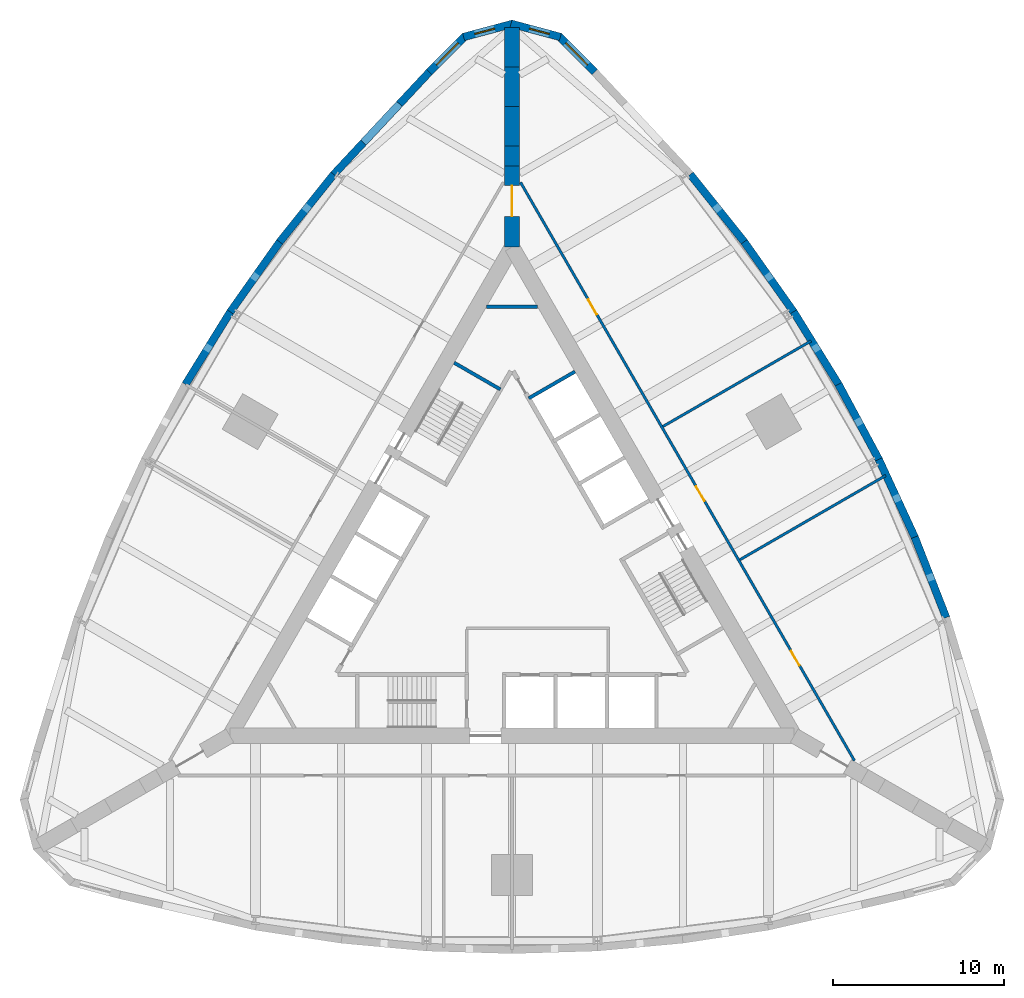
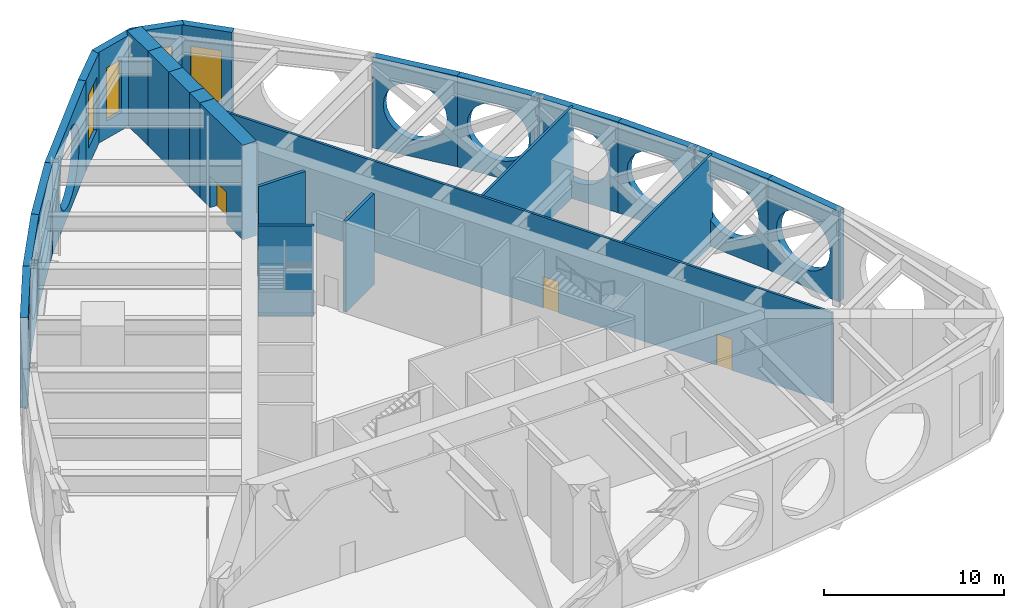
# One storey, part 5 of 7: 25 walls, 4 doors, 4 windows, 8 openings.
"""IFC4 building model written with IfcOpenShell, lengths in metres."""

import ifcopenshell
import ifcopenshell.guid

model = None  # the IFC model being written
_history = None  # IfcOwnerHistory: only IFC2X3 demands one
_inside = {}  # id of a spatial element -> (the spatial element, [elements in it])
_under = {}  # id of a project, library or spatial element -> (it, [spatial elements below it])
_declared = {}  # id of a project -> (the project, [libraries it declares])
_typed = {}  # id of a type object -> (the type object, [elements of that type])
_made_of = {}  # id of a material, layer set ... -> (it, [elements and type objects made of it])


def new_model(schema):
    """Start an empty IFC model of exactly this schema.

    Asked for "IFC4X3", IfcOpenShell would pick the latest addendum, in which some entities
    have other attributes; the version numbers below select the first issue.
    IFC2X3 requires an IfcOwnerHistory on every rooted entity: one is made here for all.
    """
    global model, _history
    if schema == "IFC4X3":
        model = ifcopenshell.file(schema_version=(4, 3, 0, 0))
    else:
        model = ifcopenshell.file(schema=schema)
    _inside.clear()
    _under.clear()
    _declared.clear()
    _typed.clear()
    _made_of.clear()
    _history = None
    if model.schema == "IFC2X3":
        org = make("IfcOrganization", Name="unknown")
        user = make(
            "IfcPersonAndOrganization",
            ThePerson=make("IfcPerson", FamilyName="unknown"),
            TheOrganization=org,
        )
        app = make(
            "IfcApplication",
            ApplicationDeveloper=org,
            Version="unknown",
            ApplicationFullName="unknown",
            ApplicationIdentifier="unknown",
        )
        _history = make(
            "IfcOwnerHistory",
            OwningUser=user,
            OwningApplication=app,
            ChangeAction="ADDED",
            CreationDate=0,
        )
    return model


def make(cls, **values):
    """One entity of the class cls with the attributes given. An attribute that is None is left unset."""
    return model.create_entity(
        cls, **{name: value for name, value in values.items() if value is not None}
    )


def rooted(cls, **values):
    """An entity with a GlobalId (a new one), such as an element, a storey or a relation."""
    return make(cls, GlobalId=ifcopenshell.guid.new(), OwnerHistory=_history, **values)


def si_unit(unit_type, name, prefix=None):
    """IfcSIUnit, for example si_unit("LENGTHUNIT", "METRE", prefix="MILLI")."""
    return make("IfcSIUnit", UnitType=unit_type, Prefix=prefix, Name=name)


def assignment(units):
    """IfcUnitAssignment: the units of a project."""
    return None if units is None else make("IfcUnitAssignment", Units=units)


def point(xyz):
    """IfcCartesianPoint."""
    return None if xyz is None else make("IfcCartesianPoint", Coordinates=xyz)


def direction(xyz):
    """IfcDirection."""
    return None if xyz is None else make("IfcDirection", DirectionRatios=xyz)


def frame(location, z_axis=None, x_axis=None):
    """IfcAxis2Placement3D, a coordinate frame: its origin and axes. An axis left out is left unset."""
    return make(
        "IfcAxis2Placement3D",
        Location=point(location),
        Axis=direction(z_axis),
        RefDirection=direction(x_axis),
    )


def frame_2d(location, x_axis=None):
    """IfcAxis2Placement2D, a coordinate frame in the plane: its origin and x axis."""
    return make(
        "IfcAxis2Placement2D", Location=point(location), RefDirection=direction(x_axis)
    )


def origin():
    """The frame at (0, 0, 0) with its axes left unset."""
    return frame((0.0, 0.0, 0.0))


def place(relative_to, where):
    """IfcLocalPlacement: puts the frame where relative to a parent placement (None: the world)."""
    return make(
        "IfcLocalPlacement", PlacementRelTo=relative_to, RelativePlacement=where
    )


def context(
    kind, dimensions, precision=None, world=None, true_north=None, identifier=None
):
    """IfcGeometricRepresentationContext, for example the 3D "Model" context."""
    return make(
        "IfcGeometricRepresentationContext",
        ContextIdentifier=identifier,
        ContextType=kind,
        CoordinateSpaceDimension=dimensions,
        Precision=precision,
        WorldCoordinateSystem=world,
        TrueNorth=true_north,
    )


def subcontext(parent, identifier, kind, view, scale=None):
    """IfcGeometricRepresentationSubContext, for example "Body" below "Model"."""
    return make(
        "IfcGeometricRepresentationSubContext",
        ContextIdentifier=identifier,
        ContextType=kind,
        ParentContext=parent,
        TargetScale=scale,
        TargetView=view,
    )


def project(units=None, contexts=None):
    """IfcProject with its units and contexts."""
    return rooted(
        "IfcProject",
        Name="project",
        RepresentationContexts=contexts,
        UnitsInContext=assignment(units),
    )


def spatial(cls, under=None, at=None, **own):
    """A site, building, storey or space (cls), placed at a placement, below another one or the project."""
    s = rooted(cls, ObjectPlacement=at, **own)
    if under is not None:
        _under.setdefault(under.id(), (under, []))[1].append(s)
    return s


def polyline(points):
    """IfcPolyline through the points."""
    return make("IfcPolyline", Points=[point(p) for p in points])


def profile(cls, at=None, kind="AREA", **sizes):
    """A parametric profile (cls). Its sizes go by their IFC names, for example OverallWidth=200.0."""
    return make(cls, ProfileType=kind, Position=at, **sizes)


def rectangle(**sizes):
    """IfcRectangleProfileDef."""
    return profile("IfcRectangleProfileDef", **sizes)


def outline(outer, holes=None, kind="AREA"):
    """IfcArbitraryClosedProfileDef: a profile drawn as a closed curve; with holes, ...WithVoids."""
    if holes is None:
        return make("IfcArbitraryClosedProfileDef", ProfileType=kind, OuterCurve=outer)
    return make(
        "IfcArbitraryProfileDefWithVoids",
        ProfileType=kind,
        OuterCurve=outer,
        InnerCurves=holes,
    )


def extrude(swept, where, along, depth):
    """IfcExtrudedAreaSolid: the profile swept, set in the frame where, extruded along a direction by depth."""
    return make(
        "IfcExtrudedAreaSolid",
        SweptArea=swept,
        Position=where,
        ExtrudedDirection=direction(along),
        Depth=depth,
    )


def shape(context_of_items, identifier, shape_type, items):
    """IfcShapeRepresentation: the items that make up one representation, for example the "Body"."""
    return make(
        "IfcShapeRepresentation",
        ContextOfItems=context_of_items,
        RepresentationIdentifier=identifier,
        RepresentationType=shape_type,
        Items=items,
    )


def material(Name=None, Category=None):
    """IfcMaterial."""
    return make("IfcMaterial", Name=Name, Category=Category)


def layer(
    of_material, thickness, ventilated=None, Name=None, Category=None, Priority=None
):
    """IfcMaterialLayer: one layer of a wall or slab, of a material (None: an air gap)."""
    return make(
        "IfcMaterialLayer",
        Material=of_material,
        LayerThickness=thickness,
        IsVentilated=ventilated,
        Name=Name,
        Category=Category,
        Priority=Priority,
    )


def layer_set(layers, Name=None):
    """IfcMaterialLayerSet."""
    return make("IfcMaterialLayerSet", MaterialLayers=layers, LayerSetName=Name)


def made_of(thing, what):
    """Note that an element or type object is made of a material, layer set ...; save() writes the relation."""
    if what is not None:
        _made_of.setdefault(what.id(), (what, []))[1].append(thing)
    return thing


def type_object(cls, material=None, **own):
    """A type object (cls), such as IfcWallType, which elements share."""
    return made_of(rooted(cls, **own), material)


def element(
    cls,
    number,
    at=None,
    inside=None,
    cuts=None,
    type_object=None,
    material=None,
    context=None,
    identifier="Body",
    shape_type=None,
    held_by="IfcProductDefinitionShape",
    body=None,
    shapes=None,
    **own,
):
    """One element of the class cls, such as IfcWall. Its Tag is "e" and its number.

    at: its placement. inside: the storey or other place that contains it. cuts: it is an
    opening in that element (IfcRelVoidsElement). A single representation is given by context,
    identifier, shape_type and body (its items); several are given by shapes. held_by: the class
    of the entity that holds the representations. save() writes the other relations.
    """
    e = rooted(cls, Tag="e%d" % number, ObjectPlacement=at, **own)
    if body is not None:
        shapes = [shape(context, identifier, shape_type, body)]
    if shapes is not None:
        e.Representation = make(held_by, Representations=shapes)
    if inside is not None:
        _inside.setdefault(inside.id(), (inside, []))[1].append(e)
    if cuts is not None:
        rooted(
            "IfcRelVoidsElement", RelatingBuildingElement=cuts, RelatedOpeningElement=e
        )
    if type_object is not None:
        _typed.setdefault(type_object.id(), (type_object, []))[1].append(e)
    return made_of(e, material)


def fill(opening, filler):
    """IfcRelFillsElement: the door or window that sits in an opening."""
    return rooted(
        "IfcRelFillsElement",
        RelatingOpeningElement=opening,
        RelatedBuildingElement=filler,
    )


def aggregate(whole, parts):
    """IfcRelAggregates: a whole, such as a stair, and the parts it consists of."""
    return rooted("IfcRelAggregates", RelatingObject=whole, RelatedObjects=parts)


def save(model, path):
    """Write the relations noted so far, then the file.

    IfcRelAggregates (storeys below a building ...), IfcRelContainedInSpatialStructure (elements
    in a storey), IfcRelDefinesByType, IfcRelAssociatesMaterial and IfcRelDeclares: one each for
    every whole, place, type object, material and project.
    """
    for whole, parts in _under.values():
        aggregate(whole, parts)
    for where, things in _inside.values():
        rooted(
            "IfcRelContainedInSpatialStructure",
            RelatedElements=things,
            RelatingStructure=where,
        )
    for kind, things in _typed.values():
        rooted("IfcRelDefinesByType", RelatedObjects=things, RelatingType=kind)
    for what, things in _made_of.values():
        rooted("IfcRelAssociatesMaterial", RelatedObjects=things, RelatingMaterial=what)
    for by, libraries in _declared.values():
        rooted("IfcRelDeclares", RelatingContext=by, RelatedDefinitions=libraries)
    model.write(path)


model = new_model("IFC4")

# Units and contexts
model_context = context("Model", 3, precision=1e-05, world=origin(), true_north=direction((0.0, 1.0)))
body_context = subcontext(model_context, "Body", "Model", "MODEL_VIEW")
ifc_project = project(units=[si_unit("LENGTHUNIT", "METRE"), si_unit("AREAUNIT", "SQUARE_METRE"), si_unit("VOLUMEUNIT", "CUBIC_METRE"), si_unit("PLANEANGLEUNIT", "RADIAN"), si_unit("MASSUNIT", "GRAM", prefix="KILO")], contexts=[model_context])

# Site, building, storey
site_placement = place(None, origin())
site = spatial("IfcSite", under=ifc_project, at=site_placement, CompositionType="ELEMENT")
building_placement = place(site_placement, origin())
building = spatial("IfcBuilding", under=site, at=building_placement, Name="Trikona Tower", CompositionType="ELEMENT")
storey_placement = place(building_placement, frame((0.0, 0.0, 103.300048828125)))
storey = spatial("IfcBuildingStorey", under=building, at=storey_placement, Name="L27", CompositionType="ELEMENT", Elevation=103.300048828125)

# Wall, opening, window
ifc_material_1 = material(Name="Brick-faced precast concrete", Category="masonry")
ifc_layer_1 = layer(ifc_material_1, 0.449951171875)
ifc_layer_set_1 = layer_set([ifc_layer_1], Name="Brick-faced corner wall 450")
wall_type_1 = type_object("IfcWallType", Name="Brick-faced corner wall 450", PredefinedType="SOLIDWALL", material=ifc_layer_set_1)
wall_1_placement = place(storey_placement, frame((4.8408203125, 29.285888671875, 0.0), z_axis=(0.0, 0.0, 1.0), x_axis=(-0.707106781187, 0.707106781187, 0.0)))
wall_1 = element("IfcWall", 1, at=wall_1_placement, inside=storey, type_object=wall_type_1, Name="External wall L27-20", PredefinedType="SOLIDWALL", context=body_context, shape_type="SweptSolid", body=[
    extrude(rectangle(XDim=2.98828125, YDim=0.449951171875, at=frame_2d((1.494140625, 0.0))), origin(), (0.0, 0.0, 1.0), 6.14990234375),
])
opening_1_placement = place(wall_1_placement, frame((0.59423828125, 0.0, 1.199951171875)))
opening_1 = element("IfcOpeningElement", 2, at=opening_1_placement, cuts=wall_1, Name="Opening W1836", PredefinedType="OPENING", context=body_context, shape_type="SweptSolid", body=[
    extrude(rectangle(XDim=1.800048828125, YDim=3.60009765625, at=frame_2d((0.89990234375, 1.800048828125))), frame((0.0, 0.23486328125, 0.0), z_axis=(0.0, -1.0, 0.0), x_axis=(1.0, 0.0, 0.0)), (0.0, 0.0, 1.0), 0.469970703125),
])
ifc_material_2 = material(Name="Aluminium-framed double glazing", Category="aluminium")
window_type_1 = type_object("IfcWindowType", Name="Window 1800x3600", PartitioningType="SINGLE_PANEL", PredefinedType="WINDOW", material=ifc_material_2)
window_1_placement = place(opening_1_placement, origin())
window_1 = element("IfcWindow", 3, at=window_1_placement, inside=storey, type_object=window_type_1, Name="Window L27-ELE", OverallHeight=3.60009765625, OverallWidth=1.800048828125, PartitioningType="SINGLE_PANEL", PredefinedType="WINDOW", context=body_context, shape_type="SweptSolid", body=[
    extrude(rectangle(XDim=1.800048828125, YDim=3.60009765625, at=frame_2d((0.89990234375, 1.800048828125))), frame((0.0, 0.030029296875, 0.0), z_axis=(0.0, -1.0, 0.0), x_axis=(1.0, 0.0, 0.0)), (0.0, 0.0, 1.0), 0.06005859375),
])
fill(opening_1, window_1)

wall_2_placement = place(storey_placement, frame((2.82861328125, 31.3408203125, 0.0), z_axis=(0.0, 0.0, 1.0), x_axis=(-0.965930548995, 0.258801419081, 0.0)))
wall_2 = element("IfcWall", 4, at=wall_2_placement, inside=storey, type_object=wall_type_1, Name="External wall L27-21", PredefinedType="SOLIDWALL", context=body_context, shape_type="SweptSolid", body=[
    extrude(outline(polyline([(2.988525390625, 0.22509765625), (2.92919921875, 0.22509765625), (2.4375, 0.09326171875), (2.40234375, 0.22509765625), (0.0, 0.22509765625), (0.0, -0.22509765625), (2.988525390625, -0.22509765625), (2.988525390625, 0.22509765625)])), origin(), (0.0, 0.0, 1.0), 6.14990234375),
])
opening_2_placement = place(wall_2_placement, frame((0.676025390625, 0.0, 1.199951171875)))
opening_2 = element("IfcOpeningElement", 5, at=opening_2_placement, cuts=wall_2, Name="Opening W1236", PredefinedType="OPENING", context=body_context, shape_type="SweptSolid", body=[
    extrude(rectangle(XDim=1.199951171875, YDim=3.60009765625, at=frame_2d((0.60009765625, 1.800048828125))), frame((0.0, 0.23486328125, 0.0), z_axis=(0.0, -1.0, 0.0), x_axis=(1.0, 0.0, 0.0)), (0.0, 0.0, 1.0), 0.469970703125),
])
ifc_material_3 = material(Name="Aluminium-framed double glazing", Category="aluminium")
window_type_2 = type_object("IfcWindowType", Name="Window 1200x3600", PartitioningType="SINGLE_PANEL", PredefinedType="WINDOW", material=ifc_material_3)
window_2_placement = place(opening_2_placement, origin())
window_2 = element("IfcWindow", 6, at=window_2_placement, inside=storey, type_object=window_type_2, Name="Window L27-ELE", OverallHeight=3.60009765625, OverallWidth=1.199951171875, PartitioningType="SINGLE_PANEL", PredefinedType="WINDOW", context=body_context, shape_type="SweptSolid", body=[
    extrude(rectangle(XDim=1.199951171875, YDim=3.60009765625, at=frame_2d((0.60009765625, 1.800048828125))), frame((0.0, 0.030029296875, 0.0), z_axis=(0.0, -1.0, 0.0), x_axis=(1.0, 0.0, 0.0)), (0.0, 0.0, 1.0), 0.06005859375),
])
fill(opening_2, window_2)

wall_3_placement = place(storey_placement, frame((0.05810546875, 32.1142578125, 0.0), z_axis=(0.0, 0.0, 1.0), x_axis=(-0.965930548995, -0.258801419081, 0.0)))
wall_3 = element("IfcWall", 7, at=wall_3_placement, inside=storey, type_object=wall_type_1, Name="External wall L27-22", PredefinedType="SOLIDWALL", context=body_context, shape_type="SweptSolid", body=[
    extrude(outline(polyline([(2.988525390625, 0.22509765625), (0.58642578125, 0.22509765625), (0.551025390625, 0.09326171875), (0.059326171875, 0.22509765625), (0.0, 0.22509765625), (0.0, -0.22509765625), (2.988525390625, -0.22509765625), (2.988525390625, 0.22509765625)])), origin(), (0.0, 0.0, 1.0), 6.14990234375),
])
opening_3_placement = place(wall_3_placement, frame((1.112548828125, 0.0, 1.199951171875)))
opening_3 = element("IfcOpeningElement", 8, at=opening_3_placement, cuts=wall_3, Name="Opening W1236", PredefinedType="OPENING", context=body_context, shape_type="SweptSolid", body=[
    extrude(rectangle(XDim=1.199951171875, YDim=3.60009765625, at=frame_2d((0.60009765625, 1.800048828125))), frame((0.0, 0.23486328125, 0.0), z_axis=(0.0, -1.0, 0.0), x_axis=(1.0, 0.0, 0.0)), (0.0, 0.0, 1.0), 0.469970703125),
])
window_3_placement = place(opening_3_placement, origin())
window_3 = element("IfcWindow", 9, at=window_3_placement, inside=storey, type_object=window_type_2, Name="Window L27-WTR", OverallHeight=3.60009765625, OverallWidth=1.199951171875, PartitioningType="SINGLE_PANEL", PredefinedType="WINDOW", context=body_context, shape_type="SweptSolid", body=[
    extrude(rectangle(XDim=1.199951171875, YDim=3.60009765625, at=frame_2d((0.60009765625, 1.800048828125))), frame((0.0, 0.030029296875, 0.0), z_axis=(0.0, -1.0, 0.0), x_axis=(1.0, 0.0, 0.0)), (0.0, 0.0, 1.0), 0.06005859375),
])
fill(opening_3, window_3)

wall_4_placement = place(storey_placement, frame((-2.727783203125, 31.39892578125, 0.0), z_axis=(0.0, 0.0, 1.0), x_axis=(-0.707106781187, -0.707106781187, 0.0)))
wall_4 = element("IfcWall", 10, at=wall_4_placement, inside=storey, type_object=wall_type_1, Name="External wall L27-23", PredefinedType="SOLIDWALL", context=body_context, shape_type="SweptSolid", body=[
    extrude(rectangle(XDim=2.98828125, YDim=0.449951171875, at=frame_2d((1.494140625, 0.0))), origin(), (0.0, 0.0, 1.0), 6.14990234375),
])
opening_4_placement = place(wall_4_placement, frame((0.59423828125, 0.0, 1.199951171875)))
opening_4 = element("IfcOpeningElement", 11, at=opening_4_placement, cuts=wall_4, Name="Opening W1836", PredefinedType="OPENING", context=body_context, shape_type="SweptSolid", body=[
    extrude(rectangle(XDim=1.800048828125, YDim=3.60009765625, at=frame_2d((0.89990234375, 1.800048828125))), frame((0.0, 0.23486328125, 0.0), z_axis=(0.0, -1.0, 0.0), x_axis=(1.0, 0.0, 0.0)), (0.0, 0.0, 1.0), 0.469970703125),
])
window_4_placement = place(opening_4_placement, origin())
window_4 = element("IfcWindow", 12, at=window_4_placement, inside=storey, type_object=window_type_1, Name="Window L27-WTR", OverallHeight=3.60009765625, OverallWidth=1.800048828125, PartitioningType="SINGLE_PANEL", PredefinedType="WINDOW", context=body_context, shape_type="SweptSolid", body=[
    extrude(rectangle(XDim=1.800048828125, YDim=3.60009765625, at=frame_2d((0.89990234375, 1.800048828125))), frame((0.0, 0.030029296875, 0.0), z_axis=(0.0, -1.0, 0.0), x_axis=(1.0, 0.0, 0.0)), (0.0, 0.0, 1.0), 0.06005859375),
])
fill(opening_4, window_4)

# Walls
ifc_material_4 = material(Name="Brick-faced precast concrete with louvred openings", Category="masonry")
ifc_layer_2 = layer(ifc_material_4, 0.449951171875)
ifc_layer_set_2 = layer_set([ifc_layer_2], Name="Brick-faced plant wall 450")
wall_type_2 = type_object("IfcWallType", Name="Brick-faced plant wall 450", PredefinedType="SOLIDWALL", material=ifc_layer_set_2)
wall_5_placement = place(storey_placement, frame((25.392822265625, -2.620849609375, 0.0), z_axis=(0.0, 0.0, 1.0), x_axis=(-0.363971587738, 0.931410051116, 0.0)))
element("IfcWall", 13, at=wall_5_placement, inside=storey, type_object=wall_type_2, Name="External wall L27-13", PredefinedType="SOLIDWALL", context=body_context, shape_type="SweptSolid", body=[
    extrude(outline(polyline([(0.0, 0.0), (5.0576171875, 0.0), (5.0576171875, 6.14990234375), (0.0, 6.14990234375), (0.0, 0.0)]), holes=[polyline([(4.4287109375, 3.074951171875), (4.364013671875, 3.566650390625), (4.17431640625, 4.02490234375), (3.872314453125, 4.41845703125), (3.478759765625, 4.720458984375), (3.0205078125, 4.91015625), (2.52880859375, 4.974853515625), (2.037109375, 4.91015625), (1.578857421875, 4.720458984375), (1.185302734375, 4.41845703125), (0.88330078125, 4.02490234375), (0.693603515625, 3.566650390625), (0.62890625, 3.074951171875), (0.693603515625, 2.583251953125), (0.88330078125, 2.125), (1.185302734375, 1.7314453125), (1.578857421875, 1.429443359375), (2.037109375, 1.23974609375), (2.52880859375, 1.175048828125), (3.0205078125, 1.23974609375), (3.478759765625, 1.429443359375), (3.872314453125, 1.7314453125), (4.17431640625, 2.125), (4.364013671875, 2.583251953125), (4.4287109375, 3.074951171875)])]), frame((0.0, 0.22509765625, 0.0), z_axis=(0.0, -1.0, 0.0), x_axis=(1.0, 0.0, 0.0)), (0.0, 0.0, 1.0), 0.449951171875),
])
wall_6_placement = place(storey_placement, frame((23.55712890625, 2.077392578125, 0.0), z_axis=(0.0, 0.0, 1.0), x_axis=(-0.419203100754, 0.907892482796, 0.0)))
element("IfcWall", 14, at=wall_6_placement, inside=storey, type_object=wall_type_2, Name="External wall L27-14", PredefinedType="SOLIDWALL", context=body_context, shape_type="SweptSolid", body=[
    extrude(outline(polyline([(0.0, 0.0), (5.020751953125, 0.0), (5.020751953125, 6.14990234375), (0.0, 6.14990234375), (0.0, 0.0)]), holes=[polyline([(4.410400390625, 3.074951171875), (4.345703125, 3.566650390625), (4.156005859375, 4.02490234375), (3.85400390625, 4.41845703125), (3.46044921875, 4.720458984375), (3.002197265625, 4.91015625), (2.510498046875, 4.974853515625), (2.018798828125, 4.91015625), (1.560302734375, 4.720458984375), (1.1669921875, 4.41845703125), (0.864990234375, 4.02490234375), (0.67529296875, 3.566650390625), (0.6103515625, 3.074951171875), (0.67529296875, 2.583251953125), (0.864990234375, 2.125), (1.1669921875, 1.7314453125), (1.560302734375, 1.429443359375), (2.018798828125, 1.23974609375), (2.510498046875, 1.175048828125), (3.002197265625, 1.23974609375), (3.46044921875, 1.429443359375), (3.85400390625, 1.7314453125), (4.156005859375, 2.125), (4.345703125, 2.583251953125), (4.410400390625, 3.074951171875)])]), frame((0.0, 0.22509765625, 0.0), z_axis=(0.0, -1.0, 0.0), x_axis=(1.0, 0.0, 0.0)), (0.0, 0.0, 1.0), 0.449951171875),
])
wall_7_placement = place(storey_placement, frame((21.45849609375, 6.62353515625, 0.0), z_axis=(0.0, 0.0, 1.0), x_axis=(-0.473412820489, 0.880840678782, 0.0)))
element("IfcWall", 15, at=wall_7_placement, inside=storey, type_object=wall_type_2, Name="External wall L27-15", PredefinedType="SOLIDWALL", context=body_context, shape_type="SweptSolid", body=[
    extrude(outline(polyline([(0.0, 0.0), (5.00244140625, 0.0), (5.00244140625, 6.14990234375), (0.0, 6.14990234375), (0.0, 0.0)]), holes=[polyline([(4.401123046875, 3.074951171875), (4.33642578125, 3.566650390625), (4.146484375, 4.02490234375), (3.8447265625, 4.41845703125), (3.451171875, 4.720458984375), (2.992919921875, 4.91015625), (2.501220703125, 4.974853515625), (2.009521484375, 4.91015625), (1.551025390625, 4.720458984375), (1.15771484375, 4.41845703125), (0.855712890625, 4.02490234375), (0.666015625, 3.566650390625), (0.60107421875, 3.074951171875), (0.666015625, 2.583251953125), (0.855712890625, 2.125), (1.15771484375, 1.7314453125), (1.551025390625, 1.429443359375), (2.009521484375, 1.23974609375), (2.501220703125, 1.175048828125), (2.992919921875, 1.23974609375), (3.451171875, 1.429443359375), (3.8447265625, 1.7314453125), (4.146484375, 2.125), (4.33642578125, 2.583251953125), (4.401123046875, 3.074951171875)])]), frame((0.0, 0.22509765625, 0.0), z_axis=(0.0, -1.0, 0.0), x_axis=(1.0, 0.0, 0.0)), (0.0, 0.0, 1.0), 0.449951171875),
])
wall_8_placement = place(storey_placement, frame((19.097412109375, 11.017822265625, 0.0), z_axis=(0.0, 0.0, 1.0), x_axis=(-0.52611097126, 0.850415925251, 0.0)))
element("IfcWall", 16, at=wall_8_placement, inside=storey, type_object=wall_type_2, Name="External wall L27-16", PredefinedType="SOLIDWALL", context=body_context, shape_type="SweptSolid", body=[
    extrude(outline(polyline([(0.0, 0.0), (5.00244140625, 0.0), (5.00244140625, 6.14990234375), (0.0, 6.14990234375), (0.0, 0.0)]), holes=[polyline([(4.401123046875, 3.074951171875), (4.33642578125, 3.566650390625), (4.146484375, 4.02490234375), (3.844482421875, 4.41845703125), (3.451171875, 4.720458984375), (2.992919921875, 4.91015625), (2.501220703125, 4.974853515625), (2.009521484375, 4.91015625), (1.551025390625, 4.720458984375), (1.15771484375, 4.41845703125), (0.855712890625, 4.02490234375), (0.666015625, 3.566650390625), (0.60107421875, 3.074951171875), (0.666015625, 2.583251953125), (0.855712890625, 2.125), (1.15771484375, 1.7314453125), (1.551025390625, 1.429443359375), (2.009521484375, 1.23974609375), (2.501220703125, 1.175048828125), (2.992919921875, 1.23974609375), (3.451171875, 1.429443359375), (3.844482421875, 1.7314453125), (4.146484375, 2.125), (4.33642578125, 2.583251953125), (4.401123046875, 3.074951171875)])]), frame((0.0, 0.22509765625, 0.0), z_axis=(0.0, -1.0, 0.0), x_axis=(1.0, 0.0, 0.0)), (0.0, 0.0, 1.0), 0.449951171875),
])
wall_9_placement = place(storey_placement, frame((16.472900390625, 15.260498046875, 0.0), z_axis=(0.0, 0.0, 1.0), x_axis=(-0.5766431066, 0.81699616132, 0.0)))
element("IfcWall", 17, at=wall_9_placement, inside=storey, type_object=wall_type_2, Name="External wall L27-17", PredefinedType="SOLIDWALL", context=body_context, shape_type="SweptSolid", body=[
    extrude(outline(polyline([(0.0, 0.0), (5.02099609375, 0.0), (5.02099609375, 6.14990234375), (0.0, 6.14990234375), (0.0, 0.0)]), holes=[polyline([(4.410400390625, 3.074951171875), (4.345703125, 3.566650390625), (4.15576171875, 4.02490234375), (3.85400390625, 4.41845703125), (3.46044921875, 4.720458984375), (3.002197265625, 4.91015625), (2.510498046875, 4.974853515625), (2.0185546875, 4.91015625), (1.560302734375, 4.720458984375), (1.1669921875, 4.41845703125), (0.864990234375, 4.02490234375), (0.675048828125, 3.566650390625), (0.6103515625, 3.074951171875), (0.675048828125, 2.583251953125), (0.864990234375, 2.125), (1.1669921875, 1.7314453125), (1.560302734375, 1.429443359375), (2.0185546875, 1.23974609375), (2.510498046875, 1.175048828125), (3.002197265625, 1.23974609375), (3.46044921875, 1.429443359375), (3.85400390625, 1.7314453125), (4.15576171875, 2.125), (4.345703125, 2.583251953125), (4.410400390625, 3.074951171875)])]), frame((0.0, 0.22509765625, 0.0), z_axis=(0.0, -1.0, 0.0), x_axis=(1.0, 0.0, 0.0)), (0.0, 0.0, 1.0), 0.449951171875),
])
wall_10_placement = place(storey_placement, frame((13.585693359375, 19.351806640625, 0.0), z_axis=(0.0, 0.0, 1.0), x_axis=(-0.624594965756, 0.780948864364, 0.0)))
element("IfcWall", 18, at=wall_10_placement, inside=storey, type_object=wall_type_2, Name="External wall L27-18", PredefinedType="SOLIDWALL", context=body_context, shape_type="SweptSolid", body=[
    extrude(outline(polyline([(0.0, 0.0), (5.0576171875, 0.0), (5.0576171875, 6.14990234375), (0.0, 6.14990234375), (0.0, 0.0)]), holes=[polyline([(4.4287109375, 3.074951171875), (4.364013671875, 3.566650390625), (4.17431640625, 4.02490234375), (3.872314453125, 4.41845703125), (3.478759765625, 4.720458984375), (3.0205078125, 4.91015625), (2.52880859375, 4.974853515625), (2.037109375, 4.91015625), (1.578857421875, 4.720458984375), (1.185302734375, 4.41845703125), (0.88330078125, 4.02490234375), (0.693603515625, 3.566650390625), (0.62890625, 3.074951171875), (0.693603515625, 2.583251953125), (0.88330078125, 2.125), (1.185302734375, 1.7314453125), (1.578857421875, 1.429443359375), (2.037109375, 1.23974609375), (2.52880859375, 1.175048828125), (3.0205078125, 1.23974609375), (3.478759765625, 1.429443359375), (3.872314453125, 1.7314453125), (4.17431640625, 2.125), (4.364013671875, 2.583251953125), (4.4287109375, 3.074951171875)])]), frame((0.0, 0.22509765625, 0.0), z_axis=(0.0, -1.0, 0.0), x_axis=(1.0, 0.0, 0.0)), (0.0, 0.0, 1.0), 0.449951171875),
])
wall_11_placement = place(storey_placement, frame((-4.83544921875, 29.29150390625, 0.0), z_axis=(0.0, 0.0, 1.0), x_axis=(-0.682290707137, -0.73108097428, 0.0)))
element("IfcWall", 19, at=wall_11_placement, inside=storey, type_object=wall_type_2, Name="External wall L27-24", PredefinedType="SOLIDWALL", context=body_context, shape_type="SweptSolid", body=[
    extrude(outline(polyline([(0.0, 0.0), (8.21142578125, 0.0), (8.21142578125, 6.14990234375), (0.0, 6.14990234375), (0.0, 0.0)]), holes=[polyline([(6.5556640625, 3.074951171875), (6.47216796875, 3.708984375), (6.227294921875, 4.300048828125), (5.837890625, 4.807373046875), (5.33056640625, 5.19677734375), (4.73974609375, 5.44140625), (4.105712890625, 5.52490234375), (3.471435546875, 5.44140625), (2.880615234375, 5.19677734375), (2.373291015625, 4.807373046875), (1.98388671875, 4.300048828125), (1.739013671875, 3.708984375), (1.655517578125, 3.074951171875), (1.739013671875, 2.44091796875), (1.98388671875, 1.849853515625), (2.373291015625, 1.342529296875), (2.880615234375, 0.953125), (3.471435546875, 0.70849609375), (4.105712890625, 0.625), (4.73974609375, 0.70849609375), (5.33056640625, 0.953125), (5.837890625, 1.342529296875), (6.227294921875, 1.849853515625), (6.47216796875, 2.44091796875), (6.5556640625, 3.074951171875)])]), frame((0.0, 0.22509765625, 0.0), z_axis=(0.0, -1.0, 0.0), x_axis=(1.0, 0.0, 0.0)), (0.0, 0.0, 1.0), 0.449951171875),
])
wall_12_placement = place(storey_placement, frame((-10.4267578125, 23.301513671875, 0.0), z_axis=(0.0, 0.0, 1.0), x_axis=(-0.624594965756, -0.780948864364, 0.0)))
element("IfcWall", 20, at=wall_12_placement, inside=storey, type_object=wall_type_2, Name="External wall L27-25", PredefinedType="SOLIDWALL", context=body_context, shape_type="SweptSolid", body=[
    extrude(outline(polyline([(0.0, 0.0), (5.0576171875, 0.0), (5.0576171875, 6.14990234375), (0.0, 6.14990234375), (0.0, 0.0)]), holes=[polyline([(4.4287109375, 3.074951171875), (4.364013671875, 3.566650390625), (4.17431640625, 4.02490234375), (3.872314453125, 4.41845703125), (3.478759765625, 4.720458984375), (3.0205078125, 4.91015625), (2.52880859375, 4.974853515625), (2.037109375, 4.91015625), (1.578857421875, 4.720458984375), (1.185302734375, 4.41845703125), (0.88330078125, 4.02490234375), (0.693603515625, 3.566650390625), (0.62890625, 3.074951171875), (0.693603515625, 2.583251953125), (0.88330078125, 2.125), (1.185302734375, 1.7314453125), (1.578857421875, 1.429443359375), (2.037109375, 1.23974609375), (2.52880859375, 1.175048828125), (3.0205078125, 1.23974609375), (3.478759765625, 1.429443359375), (3.872314453125, 1.7314453125), (4.17431640625, 2.125), (4.364013671875, 2.583251953125), (4.4287109375, 3.074951171875)])]), frame((0.0, 0.22509765625, 0.0), z_axis=(0.0, -1.0, 0.0), x_axis=(1.0, 0.0, 0.0)), (0.0, 0.0, 1.0), 0.449951171875),
])
wall_13_placement = place(storey_placement, frame((-13.57763671875, 19.362548828125, 0.0), z_axis=(0.0, 0.0, 1.0), x_axis=(-0.5766431066, -0.81699616132, 0.0)))
element("IfcWall", 21, at=wall_13_placement, inside=storey, type_object=wall_type_2, Name="External wall L27-26", PredefinedType="SOLIDWALL", context=body_context, shape_type="SweptSolid", body=[
    extrude(outline(polyline([(0.0, 0.0), (5.02099609375, 0.0), (5.02099609375, 6.14990234375), (0.0, 6.14990234375), (0.0, 0.0)]), holes=[polyline([(4.410400390625, 3.074951171875), (4.345703125, 3.566650390625), (4.15576171875, 4.02490234375), (3.85400390625, 4.41845703125), (3.46044921875, 4.720458984375), (3.002197265625, 4.91015625), (2.510498046875, 4.974853515625), (2.0185546875, 4.91015625), (1.560302734375, 4.720458984375), (1.1669921875, 4.41845703125), (0.864990234375, 4.02490234375), (0.675048828125, 3.566650390625), (0.6103515625, 3.074951171875), (0.675048828125, 2.583251953125), (0.864990234375, 2.125), (1.1669921875, 1.7314453125), (1.560302734375, 1.429443359375), (2.0185546875, 1.23974609375), (2.510498046875, 1.175048828125), (3.002197265625, 1.23974609375), (3.46044921875, 1.429443359375), (3.85400390625, 1.7314453125), (4.15576171875, 2.125), (4.345703125, 2.583251953125), (4.410400390625, 3.074951171875)])]), frame((0.0, 0.22509765625, 0.0), z_axis=(0.0, -1.0, 0.0), x_axis=(1.0, 0.0, 0.0)), (0.0, 0.0, 1.0), 0.449951171875),
])
wall_14_placement = place(storey_placement, frame((-16.465576171875, 15.27197265625, 0.0), z_axis=(0.0, 0.0, 1.0), x_axis=(-0.52611097126, -0.850415925251, 0.0)))
element("IfcWall", 22, at=wall_14_placement, inside=storey, type_object=wall_type_2, Name="External wall L27-27", PredefinedType="SOLIDWALL", context=body_context, shape_type="SweptSolid", body=[
    extrude(outline(polyline([(0.0, 0.0), (5.00244140625, 0.0), (5.00244140625, 6.14990234375), (0.0, 6.14990234375), (0.0, 0.0)]), holes=[polyline([(4.401123046875, 3.074951171875), (4.33642578125, 3.566650390625), (4.146484375, 4.02490234375), (3.844482421875, 4.41845703125), (3.451171875, 4.720458984375), (2.992919921875, 4.91015625), (2.501220703125, 4.974853515625), (2.009521484375, 4.91015625), (1.551025390625, 4.720458984375), (1.15771484375, 4.41845703125), (0.855712890625, 4.02490234375), (0.666015625, 3.566650390625), (0.60107421875, 3.074951171875), (0.666015625, 2.583251953125), (0.855712890625, 2.125), (1.15771484375, 1.7314453125), (1.551025390625, 1.429443359375), (2.009521484375, 1.23974609375), (2.501220703125, 1.175048828125), (2.992919921875, 1.23974609375), (3.451171875, 1.429443359375), (3.844482421875, 1.7314453125), (4.146484375, 2.125), (4.33642578125, 2.583251953125), (4.401123046875, 3.074951171875)])]), frame((0.0, 0.22509765625, 0.0), z_axis=(0.0, -1.0, 0.0), x_axis=(1.0, 0.0, 0.0)), (0.0, 0.0, 1.0), 0.449951171875),
])

# Wall, opening, door
ifc_material_5 = material(Name="Concrete f'c 10000 psi", Category="concrete")
ifc_layer_3 = layer(ifc_material_5, 0.89990234375)
ifc_layer_set_3 = layer_set([ifc_layer_3], Name="Buttress wall 900")
wall_type_3 = type_object("IfcWallType", Name="Buttress wall 900", PredefinedType="SHEAR", material=ifc_layer_set_3)
wall_15_placement = place(storey_placement, frame((0.0, 19.052490234375, 0.0), z_axis=(0.0, 0.0, 1.0), x_axis=(0.0, 1.0, 0.0)))
wall_15 = element("IfcWall", 23, at=wall_15_placement, inside=storey, type_object=wall_type_3, Name="Buttress wall 2", PredefinedType="SHEAR", context=body_context, shape_type="SweptSolid", body=[
    extrude(rectangle(XDim=4.74609375, YDim=0.89990234375, at=frame_2d((2.373046875, 0.0))), origin(), (0.0, 0.0, 1.0), 6.39990234375),
])
opening_5_placement = place(wall_15_placement, frame((1.800048828125, 0.0, 0.0)))
opening_5 = element("IfcOpeningElement", 24, at=opening_5_placement, cuts=wall_15, Name="Opening D10", PredefinedType="OPENING", context=body_context, shape_type="SweptSolid", body=[
    extrude(rectangle(XDim=1.800048828125, YDim=2.1298828125, at=frame_2d((0.89990234375, 1.06494140625))), frame((0.0, 0.4599609375, 0.0), z_axis=(0.0, -1.0, 0.0), x_axis=(1.0, 0.0, 0.0)), (0.0, 0.0, 1.0), 0.919921875),
])
ifc_material_6 = material(Name="Hollow metal door and frame", Category="steel")
door_type_1 = type_object("IfcDoorType", Name="Cross-corridor door pair 1800x2130", OperationType="DOUBLE_DOOR_DOUBLE_SWING", PredefinedType="DOOR", material=ifc_material_6)
door_1_placement = place(opening_5_placement, origin())
door_1 = element("IfcDoor", 25, at=door_1_placement, inside=storey, type_object=door_type_1, Name="Cross-corridor door 2", OperationType="DOUBLE_DOOR_DOUBLE_SWING", OverallHeight=2.1298828125, OverallWidth=1.800048828125, PredefinedType="DOOR", context=body_context, shape_type="SweptSolid", body=[
    extrude(rectangle(XDim=1.800048828125, YDim=2.1298828125, at=frame_2d((0.89990234375, 1.06494140625))), frame((0.0, 0.02490234375, 0.0), z_axis=(0.0, -1.0, 0.0), x_axis=(1.0, 0.0, 0.0)), (0.0, 0.0, 1.0), 0.050048828125),
])
fill(opening_5, door_1)

# Walls
wall_16_placement = place(storey_placement, frame((0.0, 23.798583984375, 0.0), z_axis=(0.0, 0.0, 1.0), x_axis=(0.0, 1.0, 0.0)))
element("IfcWall", 26, at=wall_16_placement, inside=storey, type_object=wall_type_3, Name="Buttress wall 2 part 2", PredefinedType="SHEAR", context=body_context, shape_type="SweptSolid", body=[
    extrude(rectangle(XDim=1.15478515625, YDim=0.89990234375, at=frame_2d((0.577392578125, 0.0))), origin(), (0.0, 0.0, 1.0), 6.39990234375),
])
wall_17_placement = place(storey_placement, frame((0.0, 24.953369140625, 0.0), z_axis=(0.0, 0.0, 1.0), x_axis=(0.0, 1.0, 0.0)))
element("IfcWall", 27, at=wall_17_placement, inside=storey, type_object=wall_type_3, Name="Buttress wall 2 part 3", PredefinedType="SHEAR", context=body_context, shape_type="SweptSolid", body=[
    extrude(rectangle(XDim=2.309326171875, YDim=0.89990234375, at=frame_2d((1.15478515625, 0.0))), origin(), (0.0, 0.0, 1.0), 6.39990234375),
])
wall_18_placement = place(storey_placement, frame((0.0, 27.2626953125, 0.0), z_axis=(0.0, 0.0, 1.0), x_axis=(0.0, 1.0, 0.0)))
element("IfcWall", 28, at=wall_18_placement, inside=storey, type_object=wall_type_3, Name="Buttress wall 2 part 4", PredefinedType="SHEAR", context=body_context, shape_type="SweptSolid", body=[
    extrude(rectangle(XDim=2.3095703125, YDim=0.89990234375, at=frame_2d((1.15478515625, 0.0))), origin(), (0.0, 0.0, 1.0), 6.39990234375),
])
wall_19_placement = place(storey_placement, frame((0.0, 29.572265625, 0.0), z_axis=(0.0, 0.0, 1.0), x_axis=(0.0, 1.0, 0.0)))
element("IfcWall", 29, at=wall_19_placement, inside=storey, type_object=wall_type_3, Name="Buttress wall 2 part 5", PredefinedType="SHEAR", context=body_context, shape_type="SweptSolid", body=[
    extrude(rectangle(XDim=2.309326171875, YDim=0.89990234375, at=frame_2d((1.15478515625, 0.0))), origin(), (0.0, 0.0, 1.0), 6.39990234375),
])

# Wall, openings, doors
ifc_material_7 = material(Name="Metal stud and gypsum board, 1-hour", Category="gypsum")
ifc_layer_4 = layer(ifc_material_7, 0.14990234375)
ifc_layer_set_4 = layer_set([ifc_layer_4], Name="Corridor wall 150")
wall_type_4 = type_object("IfcWallType", Name="Corridor wall 150", PredefinedType="PARTITIONING", material=ifc_layer_set_4)
wall_20_placement = place(storey_placement, frame((20.027099609375, -10.9853515625, 0.0), z_axis=(0.0, 0.0, 1.0), x_axis=(-0.500001677587, 0.866024435227, 0.0)))
wall_20 = element("IfcWall", 30, at=wall_20_placement, inside=storey, type_object=wall_type_4, Name="Corridor wall L27-2", PredefinedType="PARTITIONING", context=body_context, shape_type="SweptSolid", body=[
    extrude(rectangle(XDim=39.053955078125, YDim=0.14990234375, at=frame_2d((19.52685546875, 0.0))), origin(), (0.0, 0.0, 1.0), 6.14990234375),
])
opening_6_placement = place(wall_20_placement, frame((6.41357421875, 0.0, 0.0)))
opening_6 = element("IfcOpeningElement", 31, at=opening_6_placement, cuts=wall_20, Name="Opening D3", PredefinedType="OPENING", context=body_context, shape_type="SweptSolid", body=[
    extrude(rectangle(XDim=1.0, YDim=2.1298828125, at=frame_2d((0.5, 1.06494140625))), frame((0.0, 0.0849609375, 0.0), z_axis=(0.0, -1.0, 0.0), x_axis=(1.0, 0.0, 0.0)), (0.0, 0.0, 1.0), 0.169921875),
])
opening_7_placement = place(wall_20_placement, frame((17.527099609375, 0.0, 0.0)))
opening_7 = element("IfcOpeningElement", 32, at=opening_7_placement, cuts=wall_20, Name="Opening D3", PredefinedType="OPENING", context=body_context, shape_type="SweptSolid", body=[
    extrude(rectangle(XDim=1.0, YDim=2.1298828125, at=frame_2d((0.5, 1.06494140625))), frame((0.0, 0.0849609375, 0.0), z_axis=(0.0, -1.0, 0.0), x_axis=(1.0, 0.0, 0.0)), (0.0, 0.0, 1.0), 0.169921875),
])
opening_8_placement = place(wall_20_placement, frame((30.140380859375, 0.0, 0.0)))
opening_8 = element("IfcOpeningElement", 33, at=opening_8_placement, cuts=wall_20, Name="Opening D3", PredefinedType="OPENING", context=body_context, shape_type="SweptSolid", body=[
    extrude(rectangle(XDim=1.0, YDim=2.1298828125, at=frame_2d((0.5, 1.06494140625))), frame((0.0, 0.0849609375, 0.0), z_axis=(0.0, -1.0, 0.0), x_axis=(1.0, 0.0, 0.0)), (0.0, 0.0, 1.0), 0.169921875),
])
ifc_material_8 = material(Name="Steel door frame with solid-core timber leaf", Category="steel")
door_type_2 = type_object("IfcDoorType", Name="Room door 1000x2130", OperationType="SINGLE_SWING_LEFT", PredefinedType="DOOR", material=ifc_material_8)
door_2_placement = place(opening_6_placement, origin())
door_2 = element("IfcDoor", 34, at=door_2_placement, inside=storey, type_object=door_type_2, Name="Door Heat exchanger plant room", OperationType="SINGLE_SWING_LEFT", OverallHeight=2.1298828125, OverallWidth=1.0, PredefinedType="DOOR", context=body_context, shape_type="SweptSolid", body=[
    extrude(rectangle(XDim=1.0, YDim=2.1298828125, at=frame_2d((0.5, 1.06494140625))), frame((0.0, 0.02490234375, 0.0), z_axis=(0.0, -1.0, 0.0), x_axis=(1.0, 0.0, 0.0)), (0.0, 0.0, 1.0), 0.050048828125),
])
fill(opening_6, door_2)
door_3_placement = place(opening_7_placement, origin())
door_3 = element("IfcDoor", 35, at=door_3_placement, inside=storey, type_object=door_type_2, Name="Door Pressure reducing plant room", OperationType="SINGLE_SWING_RIGHT", OverallHeight=2.1298828125, OverallWidth=1.0, PredefinedType="DOOR", context=body_context, shape_type="SweptSolid", body=[
    extrude(rectangle(XDim=1.0, YDim=2.1298828125, at=frame_2d((0.5, 1.06494140625))), frame((0.0, 0.02490234375, 0.0), z_axis=(0.0, -1.0, 0.0), x_axis=(1.0, 0.0, 0.0)), (0.0, 0.0, 1.0), 0.050048828125),
])
fill(opening_7, door_3)
door_4_placement = place(opening_8_placement, origin())
door_4 = element("IfcDoor", 36, at=door_4_placement, inside=storey, type_object=door_type_2, Name="Door Electrical switch room", OperationType="SINGLE_SWING_LEFT", OverallHeight=2.1298828125, OverallWidth=1.0, PredefinedType="DOOR", context=body_context, shape_type="SweptSolid", body=[
    extrude(rectangle(XDim=1.0, YDim=2.1298828125, at=frame_2d((0.5, 1.06494140625))), frame((0.0, 0.02490234375, 0.0), z_axis=(0.0, -1.0, 0.0), x_axis=(1.0, 0.0, 0.0)), (0.0, 0.0, 1.0), 0.050048828125),
])
fill(opening_8, door_4)

# Walls
ifc_material_9 = material(Name="Metal stud and gypsum board, 1-hour acoustic", Category="gypsum")
ifc_layer_5 = layer(ifc_material_9, 0.14990234375)
ifc_layer_set_5 = layer_set([ifc_layer_5], Name="Party wall 150")
wall_type_5 = type_object("IfcWallType", Name="Party wall 150", PredefinedType="PARTITIONING", material=ifc_layer_set_5)
wall_21_placement = place(storey_placement, frame((13.32861328125, 0.76708984375, 0.0), z_axis=(0.0, 0.0, 1.0), x_axis=(0.866026289155, 0.499998466491, 0.0)))
element("IfcWall", 37, at=wall_21_placement, inside=storey, type_object=wall_type_5, Name="Partition L27 F2 u-6", PredefinedType="PARTITIONING", context=body_context, shape_type="SweptSolid", body=[
    extrude(rectangle(XDim=9.8515625, YDim=0.14990234375, at=frame_2d((4.92578125, 0.0))), origin(), (0.0, 0.0, 1.0), 6.14990234375),
])
wall_22_placement = place(storey_placement, frame((8.82861328125, 8.561279296875, 0.0), z_axis=(0.0, 0.0, 1.0), x_axis=(0.86602100491, 0.500007618997, 0.0)))
element("IfcWall", 38, at=wall_22_placement, inside=storey, type_object=wall_type_5, Name="Partition L27 F2 u3", PredefinedType="PARTITIONING", context=body_context, shape_type="SweptSolid", body=[
    extrude(rectangle(XDim=10.004638671875, YDim=0.14990234375, at=frame_2d((5.00244140625, 0.0))), origin(), (0.0, 0.0, 1.0), 6.14990234375),
])
ifc_material_10 = material(Name="Concrete f'c 8000 psi", Category="concrete")
ifc_layer_6 = layer(ifc_material_10, 0.199951171875)
ifc_layer_set_6 = layer_set([ifc_layer_6], Name="Shaft wall 200")
wall_type_6 = type_object("IfcWallType", Name="Shaft wall 200", PredefinedType="SOLIDWALL", material=ifc_layer_set_6)
wall_23_placement = place(storey_placement, frame((0.97900390625, 10.20703125, 0.0), z_axis=(0.0, 0.0, 1.0), x_axis=(0.866022959057, 0.500004234368, 0.0)))
element("IfcWall", 39, at=wall_23_placement, inside=storey, type_object=wall_type_6, Name="Shaft wall B6", PredefinedType="SOLIDWALL", context=body_context, shape_type="SweptSolid", body=[
    extrude(rectangle(XDim=3.125, YDim=0.199951171875, at=frame_2d((1.5625, 0.0))), origin(), (0.0, 0.0, 1.0), 6.14990234375),
])
wall_24_placement = place(storey_placement, frame((-1.501220703125, 15.552490234375, 0.0), z_axis=(0.0, 0.0, 1.0), x_axis=(1.0, 0.0, 0.0)))
element("IfcWall", 40, at=wall_24_placement, inside=storey, type_object=wall_type_6, Name="Riser wall L27-RS2", PredefinedType="SOLIDWALL", context=body_context, shape_type="SweptSolid", body=[
    extrude(rectangle(XDim=3.00244140625, YDim=0.199951171875, at=frame_2d((1.501220703125, 0.0))), origin(), (0.0, 0.0, 1.0), 6.14990234375),
])
ifc_material_11 = material(Name="Concrete f'c 8000 psi", Category="concrete")
ifc_layer_7 = layer(ifc_material_11, 0.199951171875)
ifc_layer_set_7 = layer_set([ifc_layer_7], Name="Shaft wall 200 load-bearing")
wall_type_7 = type_object("IfcWallType", Name="Shaft wall 200 load-bearing", PredefinedType="SOLIDWALL", material=ifc_layer_set_7)
wall_25_placement = place(storey_placement, frame((-0.678955078125, 10.7265625, 0.0), z_axis=(0.0, 0.0, 1.0), x_axis=(-0.866022959057, 0.500004234368, 0.0)))
element("IfcWall", 41, at=wall_25_placement, inside=storey, type_object=wall_type_7, Name="Shaft wall C1", PredefinedType="SOLIDWALL", context=body_context, shape_type="SweptSolid", body=[
    extrude(rectangle(XDim=3.125, YDim=0.199951171875, at=frame_2d((1.5625, 0.0))), origin(), (0.0, 0.0, 1.0), 6.14990234375),
])

save(model, "model.ifc")
